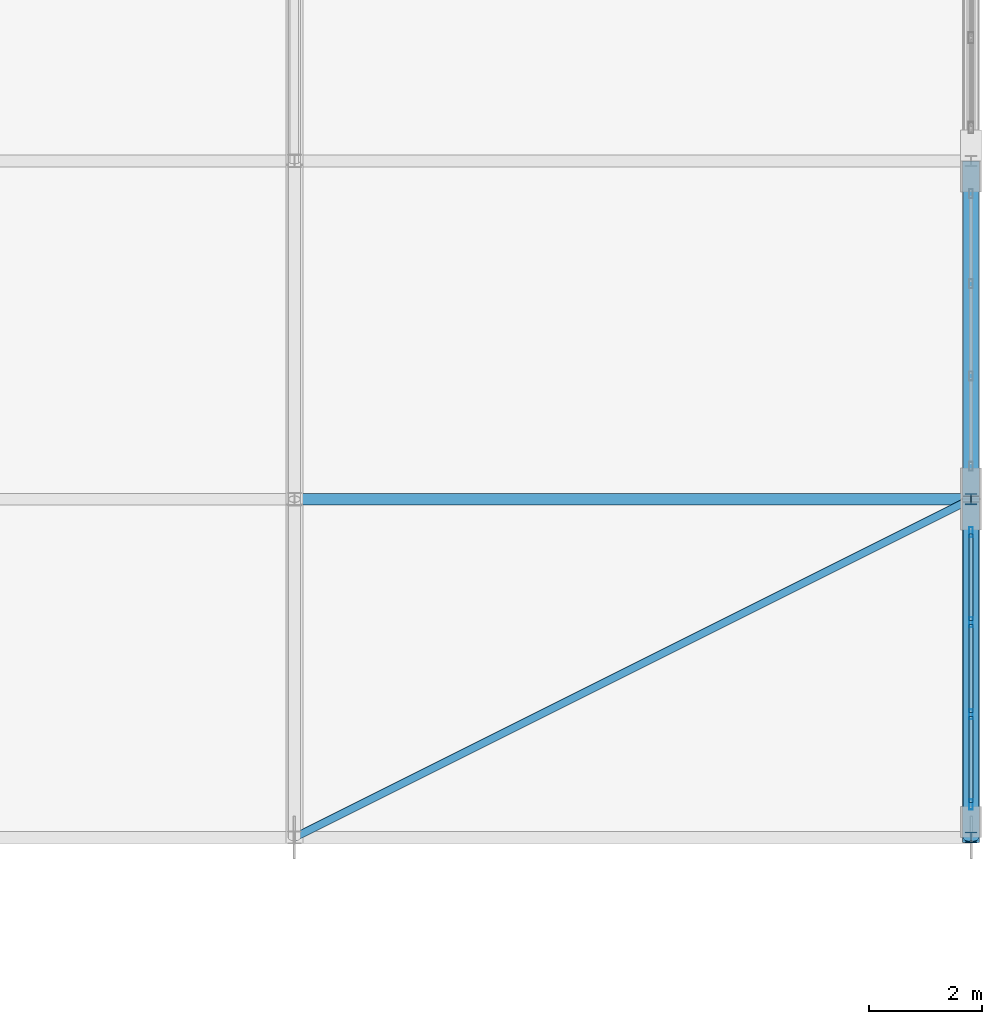
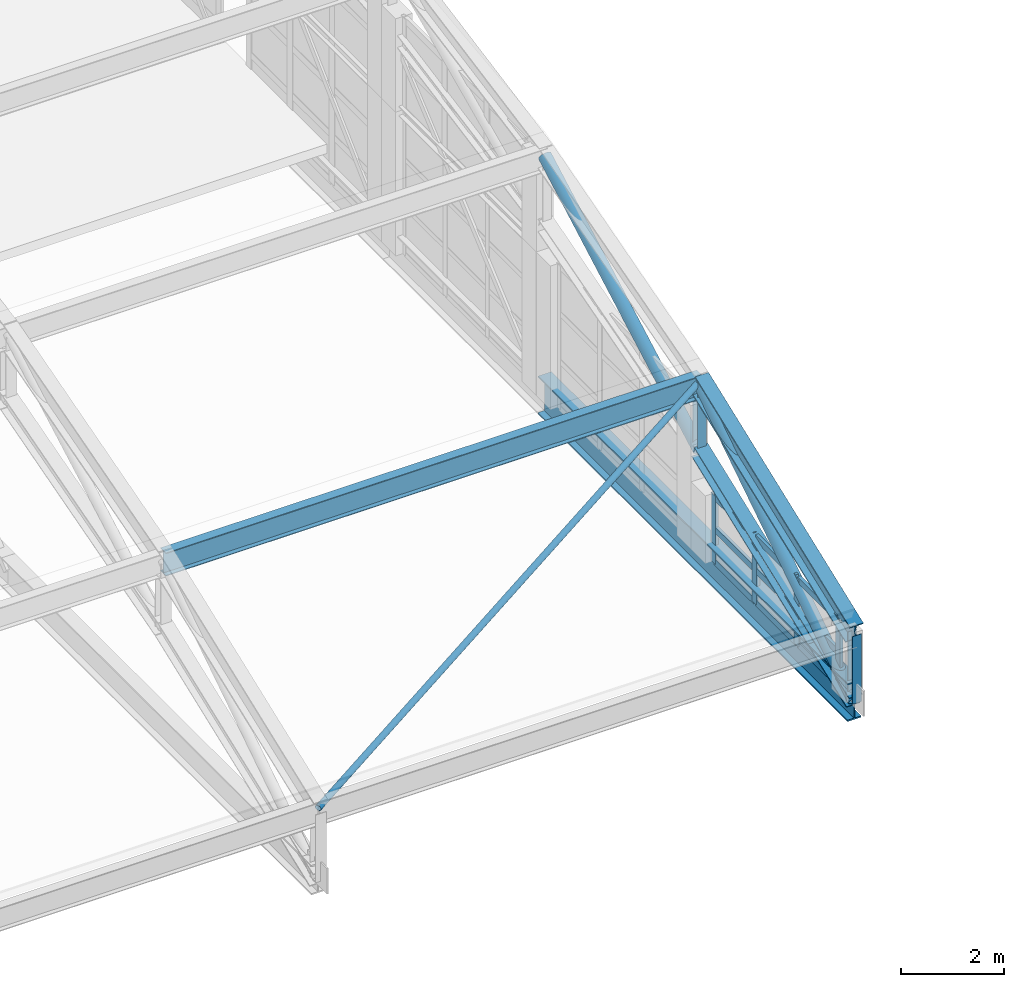
# One storey, part 130 of 204: 22 members, 1 element without a shape of its own.
"""IFC4 building model written with IfcOpenShell, lengths in metres."""

from ifc_helpers import new_model, si_unit, direction, frame, origin, origin_2d, place, context, subcontext, project, spatial, hollow_rectangle, hollow_circle, i_section, extrude, material, layer, layer_set, material_profile, profile_set, type_object, element, aggregate, save


model = new_model("IFC4")

# Units and contexts
model_context = context("Model", 3, precision=1e-05, world=origin(), true_north=direction((0.0, 1.0)))
body_context = subcontext(model_context, "Body", "Model", "MODEL_VIEW")
ifc_project = project(units=[si_unit("LENGTHUNIT", "METRE"), si_unit("AREAUNIT", "SQUARE_METRE"), si_unit("VOLUMEUNIT", "CUBIC_METRE"), si_unit("PLANEANGLEUNIT", "RADIAN"), si_unit("MASSUNIT", "GRAM", prefix="KILO")], contexts=[model_context])

# Site, building, storey
site_placement = place(None, origin())
site = spatial("IfcSite", under=ifc_project, at=site_placement, CompositionType="ELEMENT")
building_placement = place(site_placement, origin())
building = spatial("IfcBuilding", under=site, at=building_placement, Name="Zilviju Railside Exhibition Hall", CompositionType="ELEMENT")
storey_placement = place(building_placement, frame((0.0, 0.0, 21.0)))
storey = spatial("IfcBuildingStorey", under=building, at=storey_placement, Name="RF", CompositionType="ELEMENT", Elevation=21.0)

# Curtain wall, members
ifc_material_1 = material(Name="Thermally broken aluminium-steel triple-glazed curtain wall", Category="steel")
ifc_layer = layer(ifc_material_1, 0.179931640625)
ifc_layer_set = layer_set([ifc_layer], Name="Thermally broken aluminium-steel triple-glazed curtain wall")
curtain_wall_type = type_object("IfcCurtainWallType", Name="CW-BAY-13", PredefinedType="USERDEFINED", material=ifc_layer_set)
curtain_wall_placement = place(storey_placement, origin())
curtain_wall = element("IfcCurtainWall", 1, at=curtain_wall_placement, inside=storey, type_object=curtain_wall_type, Name="North Hall Arch Lower Tympanum Glazing East P1", ObjectType="GLAZED CURTAIN WALL", PredefinedType="USERDEFINED")
ifc_material_2 = material(Name="Thermally broken anodized aluminium mullion", Category="aluminium")
ifc_material_profile_1 = material_profile(ifc_material_2, hollow_rectangle(XDim=0.070068359375, YDim=0.179931640625, WallThickness=0.0048828125, at=origin_2d()), Name="MULLION 180x70x5")
ifc_profile_set_1 = profile_set([ifc_material_profile_1], Name="Thermally broken anodized aluminium mullion")
member_type_1 = type_object("IfcMemberType", Name="CWM-70x180", PredefinedType="MULLION", material=ifc_profile_set_1)
member_1_placement = place(storey_placement, frame((216.0, 89.4150390625, -3.60009765625), z_axis=(0.0, 0.0, 1.0), x_axis=(1.0, 0.0, 0.0)))
member_1 = element("IfcMember", 2, at=member_1_placement, type_object=member_type_1, Name="CW-13 mullion 1", PredefinedType="MULLION", context=body_context, shape_type="SweptSolid", body=[
    extrude(hollow_rectangle(XDim=0.070068359375, YDim=0.179931640625, WallThickness=0.0048828125, at=origin_2d()), origin(), (0.0, 0.0, 1.0), 1.60009765625),
])
member_2_placement = place(storey_placement, frame((216.0, 87.816650390625, -3.60009765625), z_axis=(0.0, 0.0, 1.0), x_axis=(1.0, 0.0, 0.0)))
member_2 = element("IfcMember", 3, at=member_2_placement, type_object=member_type_1, Name="CW-13 mullion 2", PredefinedType="MULLION", context=body_context, shape_type="SweptSolid", body=[
    extrude(hollow_rectangle(XDim=0.070068359375, YDim=0.179931640625, WallThickness=0.0048828125, at=origin_2d()), origin(), (0.0, 0.0, 1.0), 1.60009765625),
])
member_3_placement = place(storey_placement, frame((216.0, 86.183349609375, -3.60009765625), z_axis=(0.0, 0.0, 1.0), x_axis=(1.0, 0.0, 0.0)))
member_3 = element("IfcMember", 4, at=member_3_placement, type_object=member_type_1, Name="CW-13 mullion 3", PredefinedType="MULLION", context=body_context, shape_type="SweptSolid", body=[
    extrude(hollow_rectangle(XDim=0.070068359375, YDim=0.179931640625, WallThickness=0.0048828125, at=origin_2d()), origin(), (0.0, 0.0, 1.0), 1.60009765625),
])
member_4_placement = place(storey_placement, frame((216.0, 84.5849609375, -3.60009765625), z_axis=(0.0, 0.0, 1.0), x_axis=(1.0, 0.0, 0.0)))
member_4 = element("IfcMember", 5, at=member_4_placement, type_object=member_type_1, Name="CW-13 mullion 4", PredefinedType="MULLION", context=body_context, shape_type="SweptSolid", body=[
    extrude(hollow_rectangle(XDim=0.070068359375, YDim=0.179931640625, WallThickness=0.0048828125, at=origin_2d()), origin(), (0.0, 0.0, 1.0), 1.60009765625),
])
ifc_material_3 = material(Name="Thermally broken anodized aluminium transom", Category="aluminium")
ifc_material_profile_2 = material_profile(ifc_material_3, hollow_rectangle(XDim=0.070068359375, YDim=0.14990234375, WallThickness=0.0048828125, at=origin_2d()), Name="TRANSOM 150x70x5")
ifc_profile_set_2 = profile_set([ifc_material_profile_2], Name="Thermally broken anodized aluminium transom")
member_type_2 = type_object("IfcMemberType", Name="CWT-70x150", PredefinedType="USERDEFINED", material=ifc_profile_set_2)
member_5_placement = place(storey_placement, frame((216.0, 89.3798828125, -3.56494140625), z_axis=(0.0, -1.0, 0.0), x_axis=(1.0, 0.0, 0.0)))
member_5 = element("IfcMember", 6, at=member_5_placement, type_object=member_type_2, Name="CW-13 transom 1.1", ObjectType="TRANSOM", PredefinedType="USERDEFINED", context=body_context, shape_type="SweptSolid", body=[
    extrude(hollow_rectangle(XDim=0.070068359375, YDim=0.14990234375, WallThickness=0.0048828125, at=origin_2d()), origin(), (0.0, 0.0, 1.0), 1.5283203125),
])
member_6_placement = place(storey_placement, frame((216.0, 89.3798828125, -2.800048828125), z_axis=(0.0, -1.0, 0.0), x_axis=(1.0, 0.0, 0.0)))
member_6 = element("IfcMember", 7, at=member_6_placement, type_object=member_type_2, Name="CW-13 transom 1.2", ObjectType="TRANSOM", PredefinedType="USERDEFINED", context=body_context, shape_type="SweptSolid", body=[
    extrude(hollow_rectangle(XDim=0.070068359375, YDim=0.14990234375, WallThickness=0.0048828125, at=origin_2d()), origin(), (0.0, 0.0, 1.0), 1.5283203125),
])
member_7_placement = place(storey_placement, frame((216.0, 89.3798828125, -2.034912109375), z_axis=(0.0, -1.0, 0.0), x_axis=(1.0, 0.0, 0.0)))
member_7 = element("IfcMember", 8, at=member_7_placement, type_object=member_type_2, Name="CW-13 transom 1.3", ObjectType="TRANSOM", PredefinedType="USERDEFINED", context=body_context, shape_type="SweptSolid", body=[
    extrude(hollow_rectangle(XDim=0.070068359375, YDim=0.14990234375, WallThickness=0.0048828125, at=origin_2d()), origin(), (0.0, 0.0, 1.0), 1.5283203125),
])
member_8_placement = place(storey_placement, frame((216.0, 87.78173828125, -3.56494140625), z_axis=(0.0, -1.0, 0.0), x_axis=(1.0, 0.0, 0.0)))
member_8 = element("IfcMember", 9, at=member_8_placement, type_object=member_type_2, Name="CW-13 transom 2.1", ObjectType="TRANSOM", PredefinedType="USERDEFINED", context=body_context, shape_type="SweptSolid", body=[
    extrude(hollow_rectangle(XDim=0.070068359375, YDim=0.14990234375, WallThickness=0.0048828125, at=origin_2d()), origin(), (0.0, 0.0, 1.0), 1.5634765625),
])
member_9_placement = place(storey_placement, frame((216.0, 87.78173828125, -2.800048828125), z_axis=(0.0, -1.0, 0.0), x_axis=(1.0, 0.0, 0.0)))
member_9 = element("IfcMember", 10, at=member_9_placement, type_object=member_type_2, Name="CW-13 transom 2.2", ObjectType="TRANSOM", PredefinedType="USERDEFINED", context=body_context, shape_type="SweptSolid", body=[
    extrude(hollow_rectangle(XDim=0.070068359375, YDim=0.14990234375, WallThickness=0.0048828125, at=origin_2d()), origin(), (0.0, 0.0, 1.0), 1.5634765625),
])
member_10_placement = place(storey_placement, frame((216.0, 87.78173828125, -2.034912109375), z_axis=(0.0, -1.0, 0.0), x_axis=(1.0, 0.0, 0.0)))
member_10 = element("IfcMember", 11, at=member_10_placement, type_object=member_type_2, Name="CW-13 transom 2.3", ObjectType="TRANSOM", PredefinedType="USERDEFINED", context=body_context, shape_type="SweptSolid", body=[
    extrude(hollow_rectangle(XDim=0.070068359375, YDim=0.14990234375, WallThickness=0.0048828125, at=origin_2d()), origin(), (0.0, 0.0, 1.0), 1.5634765625),
])
member_11_placement = place(storey_placement, frame((216.0, 86.1484375, -3.56494140625), z_axis=(0.0, -1.0, 0.0), x_axis=(1.0, 0.0, 0.0)))
member_11 = element("IfcMember", 12, at=member_11_placement, type_object=member_type_2, Name="CW-13 transom 3.1", ObjectType="TRANSOM", PredefinedType="USERDEFINED", context=body_context, shape_type="SweptSolid", body=[
    extrude(hollow_rectangle(XDim=0.070068359375, YDim=0.14990234375, WallThickness=0.0048828125, at=origin_2d()), origin(), (0.0, 0.0, 1.0), 1.5283203125),
])
member_12_placement = place(storey_placement, frame((216.0, 86.1484375, -2.800048828125), z_axis=(0.0, -1.0, 0.0), x_axis=(1.0, 0.0, 0.0)))
member_12 = element("IfcMember", 13, at=member_12_placement, type_object=member_type_2, Name="CW-13 transom 3.2", ObjectType="TRANSOM", PredefinedType="USERDEFINED", context=body_context, shape_type="SweptSolid", body=[
    extrude(hollow_rectangle(XDim=0.070068359375, YDim=0.14990234375, WallThickness=0.0048828125, at=origin_2d()), origin(), (0.0, 0.0, 1.0), 1.5283203125),
])
member_13_placement = place(storey_placement, frame((216.0, 86.1484375, -2.034912109375), z_axis=(0.0, -1.0, 0.0), x_axis=(1.0, 0.0, 0.0)))
member_13 = element("IfcMember", 14, at=member_13_placement, type_object=member_type_2, Name="CW-13 transom 3.3", ObjectType="TRANSOM", PredefinedType="USERDEFINED", context=body_context, shape_type="SweptSolid", body=[
    extrude(hollow_rectangle(XDim=0.070068359375, YDim=0.14990234375, WallThickness=0.0048828125, at=origin_2d()), origin(), (0.0, 0.0, 1.0), 1.5283203125),
])
aggregate(curtain_wall, [member_1, member_2, member_3, member_4, member_5, member_6, member_7, member_8, member_9, member_10, member_11, member_12, member_13])

# Members
ifc_material_4 = material(Name="Steel S355J2", Category="steel")
ifc_material_profile_3 = material_profile(ifc_material_4, hollow_circle(Radius=0.06982421875, WallThickness=0.00634765625, at=origin_2d()), Name="CHS 139.7x6.3")
ifc_profile_set_3 = profile_set([ifc_material_profile_3], Name="Steel S355J2")
member_type_3 = type_object("IfcMemberType", Name="TR-BR-CHS139", PredefinedType="BRACE", material=ifc_profile_set_3)
member_14_placement = place(storey_placement, frame((204.0, 84.0, -1.94189453125), z_axis=(0.882074493807, 0.441037246903, 0.165622263659), x_axis=(-0.4472135955, 0.894427191, 0.0)))
element("IfcMember", 15, at=member_14_placement, inside=storey, type_object=member_type_3, Name="V2 Roof Wind Brace (204.0..216.0)", PredefinedType="BRACE", context=body_context, shape_type="SweptSolid", body=[
    extrude(hollow_circle(Radius=0.06982421875, WallThickness=0.00634765625, at=origin_2d()), origin(), (0.0, 0.0, 1.0), 13.604248046875),
])
ifc_material_5 = material(Name="Steel S355ML", Category="steel")
ifc_material_profile_4 = material_profile(ifc_material_5, hollow_circle(Radius=0.136474609375, WallThickness=0.012451171875, at=origin_2d()), Name="CHS 273.0x12.5")
ifc_profile_set_4 = profile_set([ifc_material_profile_4], Name="Steel S355ML")
member_type_4 = type_object("IfcMemberType", Name="TR-BR-CHS273", PredefinedType="BRACE", material=ifc_profile_set_4)
member_15_placement = place(storey_placement, frame((216.0, 84.0, -3.60009765625), z_axis=(0.0, 0.838995406637, 0.544138500423), x_axis=(-1.0, 0.0, 0.0)))
element("IfcMember", 16, at=member_15_placement, inside=storey, type_object=member_type_4, Name="V2 Parabolic Arch Web Diagonal X=216.0 P1", PredefinedType="BRACE", context=body_context, shape_type="SweptSolid", body=[
    extrude(hollow_circle(Radius=0.136474609375, WallThickness=0.012451171875, at=origin_2d()), origin(), (0.0, 0.0, 1.0), 7.1513671875),
])
member_16_placement = place(storey_placement, frame((216.0, 90.0, -1.30859375), z_axis=(0.0, 0.8750828143, 0.483973210122), x_axis=(-1.0, 0.0, 0.0)))
element("IfcMember", 17, at=member_16_placement, inside=storey, type_object=member_type_4, Name="V2 Parabolic Arch Web Diagonal X=216.0 P2", PredefinedType="BRACE", context=body_context, shape_type="SweptSolid", body=[
    extrude(hollow_circle(Radius=0.136474609375, WallThickness=0.012451171875, at=origin_2d()), origin(), (0.0, 0.0, 1.0), 6.8564453125),
])
ifc_material_profile_5 = material_profile(ifc_material_5, i_section(OverallWidth=0.300048828125, OverallDepth=0.300048828125, WebThickness=0.010986328125, FlangeThickness=0.01904296875, at=origin_2d()), Name="HEB 300")
ifc_profile_set_5 = profile_set([ifc_material_profile_5], Name="Steel S355ML")
member_type_5 = type_object("IfcMemberType", Name="TR-CH-HEB300", PredefinedType="CHORD", material=ifc_profile_set_5)
member_17_placement = place(storey_placement, frame((216.0, 84.0, -3.60009765625), z_axis=(0.0, 0.934187521086, 0.35678239229), x_axis=(-1.0, 0.0, 0.0)))
element("IfcMember", 18, at=member_17_placement, inside=storey, type_object=member_type_5, Name="V2 Parabolic Arch Bottom Chord X=216.0 P1", PredefinedType="CHORD", context=body_context, shape_type="SweptSolid", body=[
    extrude(i_section(OverallWidth=0.300048828125, OverallDepth=0.300048828125, WebThickness=0.010986328125, FlangeThickness=0.01904296875, at=origin_2d()), origin(), (0.0, 0.0, 1.0), 6.422607421875),
])
ifc_material_profile_6 = material_profile(ifc_material_5, i_section(OverallWidth=0.300048828125, OverallDepth=0.5, WebThickness=0.014404296875, FlangeThickness=0.028076171875, at=origin_2d()), Name="HEB 500")
ifc_profile_set_6 = profile_set([ifc_material_profile_6], Name="Steel S355ML")
member_type_6 = type_object("IfcMemberType", Name="TR-CH-HEB500-ML", PredefinedType="CHORD", material=ifc_profile_set_6)
member_18_placement = place(storey_placement, frame((216.0, 84.0, -2.0), z_axis=(0.0, 0.934200190194, 0.356749218138), x_axis=(-1.0, 0.0, 0.0)))
element("IfcMember", 19, at=member_18_placement, inside=storey, type_object=member_type_6, Name="V2 Parabolic Arch Top Chord X=216.0 P1", PredefinedType="CHORD", context=body_context, shape_type="SweptSolid", body=[
    extrude(i_section(OverallWidth=0.300048828125, OverallDepth=0.5, WebThickness=0.014404296875, FlangeThickness=0.028076171875, at=origin_2d()), origin(), (0.0, 0.0, 1.0), 6.422607421875),
])
ifc_material_profile_7 = material_profile(ifc_material_5, i_section(OverallWidth=0.199951171875, OverallDepth=0.18994140625, WebThickness=0.006591796875, FlangeThickness=0.010009765625, at=origin_2d()), Name="HEA 200")
ifc_profile_set_7 = profile_set([ifc_material_profile_7], Name="Steel S355ML")
member_type_7 = type_object("IfcMemberType", Name="TR-POST-HEA200", PredefinedType="POST", material=ifc_profile_set_7)
member_19_placement = place(storey_placement, frame((216.0, 84.0, -3.60009765625), z_axis=(0.0, 0.0, 1.0), x_axis=(1.0, 0.0, 0.0)))
element("IfcMember", 20, at=member_19_placement, inside=storey, type_object=member_type_7, Name="V2 Parabolic Arch Web Post X=216.0 N0", PredefinedType="POST", context=body_context, shape_type="SweptSolid", body=[
    extrude(i_section(OverallWidth=0.199951171875, OverallDepth=0.18994140625, WebThickness=0.006591796875, FlangeThickness=0.010009765625, at=origin_2d()), origin(), (0.0, 0.0, 1.0), 1.60009765625),
])
member_20_placement = place(storey_placement, frame((216.0, 90.0, -1.30859375), z_axis=(0.0, 0.0, 1.0), x_axis=(1.0, 0.0, 0.0)))
element("IfcMember", 21, at=member_20_placement, inside=storey, type_object=member_type_7, Name="V2 Parabolic Arch Web Post X=216.0 N1", PredefinedType="POST", context=body_context, shape_type="SweptSolid", body=[
    extrude(i_section(OverallWidth=0.199951171875, OverallDepth=0.18994140625, WebThickness=0.006591796875, FlangeThickness=0.010009765625, at=origin_2d()), origin(), (0.0, 0.0, 1.0), 1.599853515625),
])
ifc_material_profile_8 = material_profile(ifc_material_4, i_section(OverallWidth=0.2099609375, OverallDepth=0.550048828125, WebThickness=0.010986328125, FlangeThickness=0.01708984375, at=origin_2d()), Name="IPE 550")
ifc_profile_set_8 = profile_set([ifc_material_profile_8], Name="Steel S355J2")
member_type_8 = type_object("IfcMemberType", Name="TR-PUR-IPE550", PredefinedType="PURLIN", material=ifc_profile_set_8)
member_21_placement = place(storey_placement, frame((204.0, 90.0, 0.239501953125), z_axis=(1.0, 0.0, 0.0), x_axis=(0.0, 1.0, 0.0)))
element("IfcMember", 22, at=member_21_placement, inside=storey, type_object=member_type_8, Name="V2 Barrel Vault Roof Purlin Y=90.0 (204.0..216.0)", PredefinedType="PURLIN", context=body_context, shape_type="SweptSolid", body=[
    extrude(i_section(OverallWidth=0.2099609375, OverallDepth=0.550048828125, WebThickness=0.010986328125, FlangeThickness=0.01708984375, at=origin_2d()), origin(), (0.0, 0.0, 1.0), 12.0),
])
ifc_material_profile_9 = material_profile(ifc_material_4, i_section(OverallWidth=0.300048828125, OverallDepth=0.89990234375, WebThickness=0.0185546875, FlangeThickness=0.034912109375, at=origin_2d()), Name="HEB 900")
ifc_profile_set_9 = profile_set([ifc_material_profile_9], Name="Steel S355J2")
member_type_9 = type_object("IfcMemberType", Name="TR-TIE-HEB900", PredefinedType="CHORD", material=ifc_profile_set_9)
member_22_placement = place(storey_placement, frame((216.0, 84.0, -3.60009765625), z_axis=(0.0, 1.0, 0.0), x_axis=(-1.0, 0.0, 0.0)))
element("IfcMember", 23, at=member_22_placement, inside=storey, type_object=member_type_9, Name="V2 Arch Tie Member X=216.0", PredefinedType="CHORD", context=body_context, shape_type="SweptSolid", body=[
    extrude(i_section(OverallWidth=0.300048828125, OverallDepth=0.89990234375, WebThickness=0.0185546875, FlangeThickness=0.034912109375, at=origin_2d()), origin(), (0.0, 0.0, 1.0), 12.0),
])

save(model, "model.ifc")
